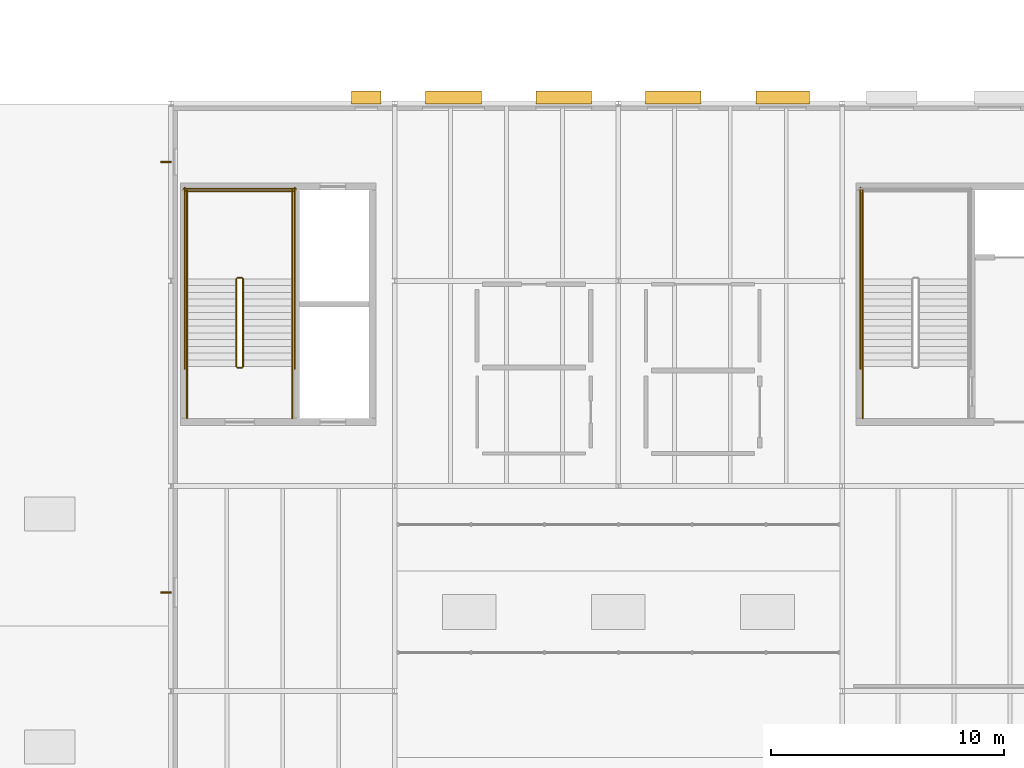
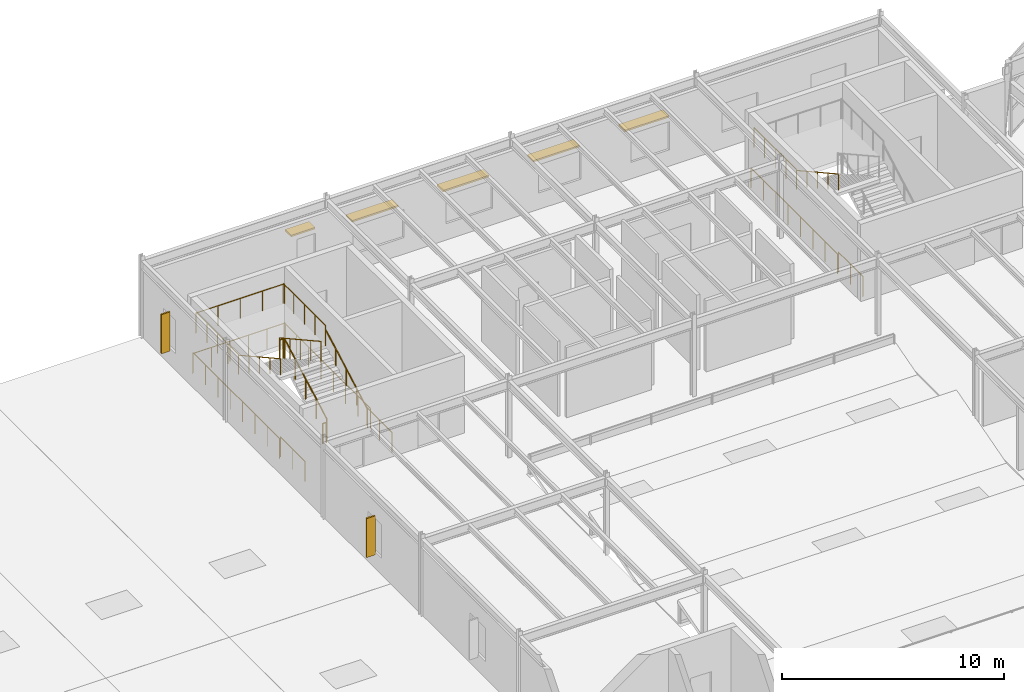
# One storey, part 46 of 50: 18 railings, 7 shading devices.
"""IFC4 building model written with IfcOpenShell, lengths in metres."""

from ifc_helpers import new_model, si_unit, direction, frame, origin, origin_2d, place, context, subcontext, project, spatial, rectangle, circle, extrude, material, layer, layer_set, type_object, element, save


model = new_model("IFC4")

# Units and contexts
model_context = context("Model", 3, precision=1e-05, world=origin(), true_north=direction((0.0, 1.0)))
body_context = subcontext(model_context, "Body", "Model", "MODEL_VIEW")
ifc_project = project(units=[si_unit("LENGTHUNIT", "METRE"), si_unit("AREAUNIT", "SQUARE_METRE"), si_unit("VOLUMEUNIT", "CUBIC_METRE"), si_unit("PLANEANGLEUNIT", "RADIAN"), si_unit("MASSUNIT", "GRAM", prefix="KILO")], contexts=[model_context])

# Site, building, storey
site_placement = place(None, origin())
site = spatial("IfcSite", under=ifc_project, at=site_placement, CompositionType="ELEMENT")
building_placement = place(site_placement, origin())
building = spatial("IfcBuilding", under=site, at=building_placement, Name="Sarnbrook Museum", CompositionType="ELEMENT")
storey_placement = place(building_placement, frame((0.0, 0.0, 28.10009765625)))
storey = spatial("IfcBuildingStorey", under=building, at=storey_placement, Name="L05", CompositionType="ELEMENT", Elevation=28.10009765625)

# Shading devices
ifc_material_1 = material(Name="Patinated Architectural Bronze")
shading_device_type_1 = type_object("IfcShadingDeviceType", Name="BriseSoleil_Horizontal", PredefinedType="SHUTTER", material=ifc_material_1)
shading_device_1_placement = place(storey_placement, frame((107.053955078125, 108.669921875, 2.46484375), z_axis=(0.0, 0.0, 1.0), x_axis=(1.0, 0.0, 0.0)))
element("IfcShadingDevice", 1, at=shading_device_1_placement, inside=storey, type_object=shading_device_type_1, Name="Horizontal Bronze Brise-Soleil BS-039", PredefinedType="SHUTTER", context=body_context, shape_type="SweptSolid", body=[
    extrude(rectangle(XDim=2.300048828125, YDim=0.550048828125, at=origin_2d()), origin(), (0.0, 0.0, 1.0), 0.090087890625),
])
for number, where, z_axis, x_axis, name in (
    (2, (102.35400390625, 108.669921875, 2.46484375), (0.0, 0.0, 1.0), (1.0, 0.0, 0.0), "Horizontal Bronze Brise-Soleil BS-040"),
    (3, (97.654052734375, 108.669921875, 2.46484375), (0.0, 0.0, 1.0), (1.0, 0.0, 0.0), "Horizontal Bronze Brise-Soleil BS-041"),
    (4, (92.928955078125, 108.669921875, 2.46484375), (0.0, 0.0, 1.0), (1.0, 0.0, 0.0), "Horizontal Bronze Brise-Soleil BS-042"),
):
    element("IfcShadingDevice", number, at=place(storey_placement, frame(where, z_axis=z_axis, x_axis=x_axis)), inside=storey, type_object=shading_device_type_1, Name=name, PredefinedType="SHUTTER", context=body_context, shape_type="SweptSolid", body=[
        extrude(rectangle(XDim=2.39990234375, YDim=0.550048828125, at=origin_2d()), origin(), (0.0, 0.0, 1.0), 0.090087890625),
    ])
shading_device_2_placement = place(storey_placement, frame((89.178955078125, 108.669921875, 2.7646484375), z_axis=(0.0, 0.0, 1.0), x_axis=(1.0, 0.0, 0.0)))
element("IfcShadingDevice", 5, at=shading_device_2_placement, inside=storey, type_object=shading_device_type_1, Name="Horizontal Bronze Brise-Soleil BS-043", PredefinedType="SHUTTER", context=body_context, shape_type="SweptSolid", body=[
    extrude(rectangle(XDim=1.25, YDim=0.550048828125, at=origin_2d()), origin(), (0.0, 0.0, 1.0), 0.090087890625),
])

# Railings
ifc_material_2 = material(Name="Brushed Stainless Steel Grade 316", Category="steel")
ifc_layer_1 = layer(ifc_material_2, 0.050048828125)
ifc_layer_set_1 = layer_set([ifc_layer_1], Name="Brushed Stainless Steel Grade 316")
railing_type_1 = type_object("IfcRailingType", Name="Guard_Int1120", PredefinedType="BALUSTRADE", material=ifc_layer_set_1)
railing_1_placement = place(storey_placement, frame((110.489990234375, 100.889892578125, 2.25)))
element("IfcRailing", 6, at=railing_1_placement, inside=storey, type_object=railing_type_1, Name="L05 ST2 stair guard 4", PredefinedType="BALUSTRADE", context=body_context, shape_type="SweptSolid", body=[
    extrude(circle(Radius=0.02392578125, at=origin_2d()), frame((0.0, 0.0, 1.09619140625), z_axis=(0.0, 1.0, 0.0), x_axis=(-1.0, 0.0, 0.0)), (0.0, 0.0, 1.0), 3.81005859375),
    extrude(circle(Radius=0.02099609375, at=origin_2d()), origin(), (0.0, 0.0, 1.0), 1.072021484375),
    extrude(circle(Radius=0.02099609375, at=origin_2d()), frame((0.0, 0.95263671875, 0.0)), (0.0, 0.0, 1.0), 1.072021484375),
    extrude(circle(Radius=0.02099609375, at=origin_2d()), frame((0.0, 1.905029296875, 0.0)), (0.0, 0.0, 1.0), 1.072021484375),
    extrude(circle(Radius=0.02099609375, at=origin_2d()), frame((0.0, 2.857421875, 0.0)), (0.0, 0.0, 1.0), 1.072021484375),
    extrude(circle(Radius=0.02099609375, at=origin_2d()), frame((0.0, 3.81005859375, 0.0)), (0.0, 0.0, 1.0), 1.072021484375),
])
railing_2_placement = place(storey_placement, frame((110.489990234375, 94.89990234375, 0.0)))
element("IfcRailing", 7, at=railing_2_placement, inside=storey, type_object=railing_type_1, Name="L05 ST2 stair guard 9", PredefinedType="BALUSTRADE", context=body_context, shape_type="SweptSolid", body=[
    extrude(circle(Radius=0.02392578125, at=origin_2d()), frame((0.0, 0.0, 1.09619140625), z_axis=(0.0, 1.0, 0.0), x_axis=(-1.0, 0.0, 0.0)), (0.0, 0.0, 1.0), 2.22021484375),
    extrude(circle(Radius=0.02099609375, at=origin_2d()), origin(), (0.0, 0.0, 1.0), 1.072021484375),
    extrude(circle(Radius=0.02099609375, at=origin_2d()), frame((0.0, 1.110107421875, 0.0)), (0.0, 0.0, 1.0), 1.072021484375),
    extrude(circle(Radius=0.02099609375, at=origin_2d()), frame((0.0, 2.22021484375, 0.0)), (0.0, 0.0, 1.0), 1.072021484375),
])
railing_3_placement = place(storey_placement, frame((110.389892578125, 97.02001953125, 0.0)))
element("IfcRailing", 8, at=railing_3_placement, inside=storey, type_object=railing_type_1, Name="L05 ST2 stair guard 11", PredefinedType="BALUSTRADE", context=body_context, shape_type="SweptSolid", body=[
    extrude(circle(Radius=0.02392578125, at=origin_2d()), frame((0.0, 0.0, 1.09619140625), z_axis=(0.0, 1.0, 0.0), x_axis=(-1.0, 0.0, 0.0)), (0.0, 0.0, 1.0), 7.780029296875),
    extrude(circle(Radius=0.02099609375, at=origin_2d()), origin(), (0.0, 0.0, 1.0), 1.072021484375),
    extrude(circle(Radius=0.02099609375, at=origin_2d()), frame((0.0, 1.111328125, 0.0)), (0.0, 0.0, 1.0), 1.072021484375),
    extrude(circle(Radius=0.02099609375, at=origin_2d()), frame((0.0, 2.222900390625, 0.0)), (0.0, 0.0, 1.0), 1.072021484375),
    extrude(circle(Radius=0.02099609375, at=origin_2d()), frame((0.0, 3.334228515625, 0.0)), (0.0, 0.0, 1.0), 1.072021484375),
    extrude(circle(Radius=0.02099609375, at=origin_2d()), frame((0.0, 4.44580078125, 0.0)), (0.0, 0.0, 1.0), 1.072021484375),
    extrude(circle(Radius=0.02099609375, at=origin_2d()), frame((0.0, 5.55712890625, 0.0)), (0.0, 0.0, 1.0), 1.072021484375),
    extrude(circle(Radius=0.02099609375, at=origin_2d()), frame((0.0, 6.668701171875, 0.0)), (0.0, 0.0, 1.0), 1.072021484375),
    extrude(circle(Radius=0.02099609375, at=origin_2d()), frame((0.0, 7.780029296875, 0.0)), (0.0, 0.0, 1.0), 1.072021484375),
])
railing_4_placement = place(storey_placement, frame((83.889892578125, 97.1201171875, 0.16064453125)))
element("IfcRailing", 9, at=railing_4_placement, inside=storey, type_object=railing_type_1, Name="L05 ST4 stair guard 1", PredefinedType="BALUSTRADE", context=body_context, shape_type="SweptSolid", body=[
    extrude(circle(Radius=0.02392578125, at=origin_2d()), frame((0.0, 0.0, 1.09619140625), z_axis=(0.0, 0.874645791573, 0.484762559697), x_axis=(-1.0, 0.0, 0.0)), (0.0, 0.0, 1.0), 4.31005859375),
    extrude(circle(Radius=0.02099609375, at=origin_2d()), origin(), (0.0, 0.0, 1.0), 1.072021484375),
    extrude(circle(Radius=0.02099609375, at=origin_2d()), frame((0.0, 0.9423828125, 0.5224609375)), (0.0, 0.0, 1.0), 1.072021484375),
    extrude(circle(Radius=0.02099609375, at=origin_2d()), frame((0.0, 1.884765625, 1.044677734375)), (0.0, 0.0, 1.0), 1.072021484375),
    extrude(circle(Radius=0.02099609375, at=origin_2d()), frame((0.0, 2.827392578125, 1.56689453125)), (0.0, 0.0, 1.0), 1.072021484375),
    extrude(circle(Radius=0.02099609375, at=origin_2d()), frame((0.0, 3.769775390625, 2.08935546875)), (0.0, 0.0, 1.0), 1.072021484375),
])
railing_5_placement = place(storey_placement, frame((83.840087890625, 100.93994140625, 2.25)))
element("IfcRailing", 10, at=railing_5_placement, inside=storey, type_object=railing_type_1, Name="L05 ST4 stair guard 2", PredefinedType="BALUSTRADE", context=body_context, shape_type="SweptSolid", body=[
    extrude(circle(Radius=0.02392578125, at=origin_2d()), frame((0.0, 0.0, 1.09619140625), z_axis=(-1.0, 0.0, 0.0), x_axis=(0.0, -1.0, 0.0)), (0.0, 0.0, 1.0), 0.18017578125),
    extrude(circle(Radius=0.02099609375, at=origin_2d()), origin(), (0.0, 0.0, 1.0), 1.072021484375),
    extrude(circle(Radius=0.02099609375, at=origin_2d()), frame((-0.18017578125, 0.0, 0.0)), (0.0, 0.0, 1.0), 1.072021484375),
])
for number, where, name in (
    (11, (86.010009765625, 100.889892578125, 2.25), "L05 ST4 stair guard 3"),
    (12, (81.489990234375, 100.889892578125, 2.25), "L05 ST4 stair guard 4"),
):
    element("IfcRailing", number, at=place(storey_placement, frame(where)), inside=storey, type_object=railing_type_1, Name=name, PredefinedType="BALUSTRADE", context=body_context, shape_type="SweptSolid", body=[
        extrude(circle(Radius=0.02392578125, at=origin_2d()), frame((0.0, 0.0, 1.09619140625), z_axis=(0.0, 1.0, 0.0), x_axis=(-1.0, 0.0, 0.0)), (0.0, 0.0, 1.0), 3.81005859375),
        extrude(circle(Radius=0.02099609375, at=origin_2d()), origin(), (0.0, 0.0, 1.0), 1.072021484375),
        extrude(circle(Radius=0.02099609375, at=origin_2d()), frame((0.0, 0.95263671875, 0.0)), (0.0, 0.0, 1.0), 1.072021484375),
        extrude(circle(Radius=0.02099609375, at=origin_2d()), frame((0.0, 1.905029296875, 0.0)), (0.0, 0.0, 1.0), 1.072021484375),
        extrude(circle(Radius=0.02099609375, at=origin_2d()), frame((0.0, 2.857421875, 0.0)), (0.0, 0.0, 1.0), 1.072021484375),
        extrude(circle(Radius=0.02099609375, at=origin_2d()), frame((0.0, 3.81005859375, 0.0)), (0.0, 0.0, 1.0), 1.072021484375),
    ])
railing_6_placement = place(storey_placement, frame((86.06005859375, 104.64990234375, 2.25)))
element("IfcRailing", 13, at=railing_6_placement, inside=storey, type_object=railing_type_1, Name="L05 ST4 stair guard 5", PredefinedType="BALUSTRADE", context=body_context, shape_type="SweptSolid", body=[
    extrude(circle(Radius=0.02392578125, at=origin_2d()), frame((0.0, 0.0, 1.09619140625), z_axis=(-1.0, 0.0, 0.0), x_axis=(0.0, -1.0, 0.0)), (0.0, 0.0, 1.0), 4.6201171875),
    extrude(circle(Radius=0.02099609375, at=origin_2d()), origin(), (0.0, 0.0, 1.0), 1.072021484375),
    extrude(circle(Radius=0.02099609375, at=origin_2d()), frame((-1.155029296875, 0.0, 0.0)), (0.0, 0.0, 1.0), 1.072021484375),
    extrude(circle(Radius=0.02099609375, at=origin_2d()), frame((-2.31005859375, 0.0, 0.0)), (0.0, 0.0, 1.0), 1.072021484375),
    extrude(circle(Radius=0.02099609375, at=origin_2d()), frame((-3.465087890625, 0.0, 0.0)), (0.0, 0.0, 1.0), 1.072021484375),
    extrude(circle(Radius=0.02099609375, at=origin_2d()), frame((-4.6201171875, 0.0, 0.0)), (0.0, 0.0, 1.0), 1.072021484375),
])
railing_7_placement = place(storey_placement, frame((83.610107421875, 100.889892578125, 2.41064453125)))
element("IfcRailing", 14, at=railing_7_placement, inside=storey, type_object=railing_type_1, Name="L05 ST4 stair guard 6", PredefinedType="BALUSTRADE", context=body_context, shape_type="SweptSolid", body=[
    extrude(circle(Radius=0.02392578125, at=origin_2d()), frame((0.0, 0.0, 1.09619140625), z_axis=(0.0, -0.874645791573, 0.484762559697), x_axis=(1.0, 0.0, 0.0)), (0.0, 0.0, 1.0), 4.31005859375),
    extrude(circle(Radius=0.02099609375, at=origin_2d()), origin(), (0.0, 0.0, 1.0), 1.072021484375),
    extrude(circle(Radius=0.02099609375, at=origin_2d()), frame((0.0, -0.9423828125, 0.5224609375)), (0.0, 0.0, 1.0), 1.072021484375),
    extrude(circle(Radius=0.02099609375, at=origin_2d()), frame((0.0, -1.884765625, 1.044677734375)), (0.0, 0.0, 1.0), 1.072021484375),
    extrude(circle(Radius=0.02099609375, at=origin_2d()), frame((0.0, -2.827392578125, 1.56689453125)), (0.0, 0.0, 1.0), 1.072021484375),
    extrude(circle(Radius=0.02099609375, at=origin_2d()), frame((0.0, -3.769775390625, 2.08935546875)), (0.0, 0.0, 1.0), 1.072021484375),
])
railing_8_placement = place(storey_placement, frame((83.840087890625, 97.070068359375, 0.0)))
element("IfcRailing", 15, at=railing_8_placement, inside=storey, type_object=railing_type_1, Name="L05 ST4 stair guard 7", PredefinedType="BALUSTRADE", context=body_context, shape_type="SweptSolid", body=[
    extrude(circle(Radius=0.02392578125, at=origin_2d()), frame((0.0, 0.0, 1.09619140625), z_axis=(-1.0, 0.0, 0.0), x_axis=(0.0, -1.0, 0.0)), (0.0, 0.0, 1.0), 0.18017578125),
    extrude(circle(Radius=0.02099609375, at=origin_2d()), origin(), (0.0, 0.0, 1.0), 1.072021484375),
    extrude(circle(Radius=0.02099609375, at=origin_2d()), frame((-0.18017578125, 0.0, 0.0)), (0.0, 0.0, 1.0), 1.072021484375),
])
for number, where, name in (
    (16, (86.010009765625, 94.89990234375, 0.0), "L05 ST4 stair guard 8"),
    (17, (81.489990234375, 94.89990234375, 0.0), "L05 ST4 stair guard 9"),
):
    element("IfcRailing", number, at=place(storey_placement, frame(where)), inside=storey, type_object=railing_type_1, Name=name, PredefinedType="BALUSTRADE", context=body_context, shape_type="SweptSolid", body=[
        extrude(circle(Radius=0.02392578125, at=origin_2d()), frame((0.0, 0.0, 1.09619140625), z_axis=(0.0, 1.0, 0.0), x_axis=(-1.0, 0.0, 0.0)), (0.0, 0.0, 1.0), 2.22021484375),
        extrude(circle(Radius=0.02099609375, at=origin_2d()), origin(), (0.0, 0.0, 1.0), 1.072021484375),
        extrude(circle(Radius=0.02099609375, at=origin_2d()), frame((0.0, 1.110107421875, 0.0)), (0.0, 0.0, 1.0), 1.072021484375),
        extrude(circle(Radius=0.02099609375, at=origin_2d()), frame((0.0, 2.22021484375, 0.0)), (0.0, 0.0, 1.0), 1.072021484375),
    ])
for number, where, name in (
    (18, (86.110107421875, 97.02001953125, 0.0), "L05 ST4 stair guard 10"),
    (19, (81.389892578125, 97.02001953125, 0.0), "L05 ST4 stair guard 11"),
):
    element("IfcRailing", number, at=place(storey_placement, frame(where)), inside=storey, type_object=railing_type_1, Name=name, PredefinedType="BALUSTRADE", context=body_context, shape_type="SweptSolid", body=[
        extrude(circle(Radius=0.02392578125, at=origin_2d()), frame((0.0, 0.0, 1.09619140625), z_axis=(0.0, 1.0, 0.0), x_axis=(-1.0, 0.0, 0.0)), (0.0, 0.0, 1.0), 7.780029296875),
        extrude(circle(Radius=0.02099609375, at=origin_2d()), origin(), (0.0, 0.0, 1.0), 1.072021484375),
        extrude(circle(Radius=0.02099609375, at=origin_2d()), frame((0.0, 1.111328125, 0.0)), (0.0, 0.0, 1.0), 1.072021484375),
        extrude(circle(Radius=0.02099609375, at=origin_2d()), frame((0.0, 2.222900390625, 0.0)), (0.0, 0.0, 1.0), 1.072021484375),
        extrude(circle(Radius=0.02099609375, at=origin_2d()), frame((0.0, 3.334228515625, 0.0)), (0.0, 0.0, 1.0), 1.072021484375),
        extrude(circle(Radius=0.02099609375, at=origin_2d()), frame((0.0, 4.44580078125, 0.0)), (0.0, 0.0, 1.0), 1.072021484375),
        extrude(circle(Radius=0.02099609375, at=origin_2d()), frame((0.0, 5.55712890625, 0.0)), (0.0, 0.0, 1.0), 1.072021484375),
        extrude(circle(Radius=0.02099609375, at=origin_2d()), frame((0.0, 6.668701171875, 0.0)), (0.0, 0.0, 1.0), 1.072021484375),
        extrude(circle(Radius=0.02099609375, at=origin_2d()), frame((0.0, 7.780029296875, 0.0)), (0.0, 0.0, 1.0), 1.072021484375),
    ])
railing_9_placement = place(storey_placement, frame((86.159912109375, 104.75, 0.0)))
element("IfcRailing", 20, at=railing_9_placement, inside=storey, type_object=railing_type_1, Name="L05 ST4 stair guard 12", PredefinedType="BALUSTRADE", context=body_context, shape_type="SweptSolid", body=[
    extrude(circle(Radius=0.02392578125, at=origin_2d()), frame((0.0, 0.0, 1.09619140625), z_axis=(-1.0, 0.0, 0.0), x_axis=(0.0, -1.0, 0.0)), (0.0, 0.0, 1.0), 4.81982421875),
    extrude(circle(Radius=0.02099609375, at=origin_2d()), origin(), (0.0, 0.0, 1.0), 1.072021484375),
    extrude(circle(Radius=0.02099609375, at=origin_2d()), frame((-0.9638671875, 0.0, 0.0)), (0.0, 0.0, 1.0), 1.072021484375),
    extrude(circle(Radius=0.02099609375, at=origin_2d()), frame((-1.927978515625, 0.0, 0.0)), (0.0, 0.0, 1.0), 1.072021484375),
    extrude(circle(Radius=0.02099609375, at=origin_2d()), frame((-2.891845703125, 0.0, 0.0)), (0.0, 0.0, 1.0), 1.072021484375),
    extrude(circle(Radius=0.02099609375, at=origin_2d()), frame((-3.85595703125, 0.0, 0.0)), (0.0, 0.0, 1.0), 1.072021484375),
    extrude(circle(Radius=0.02099609375, at=origin_2d()), frame((-4.81982421875, 0.0, 0.0)), (0.0, 0.0, 1.0), 1.072021484375),
])
ifc_layer_2 = layer(ifc_material_2, 0.048095703125)
ifc_layer_set_2 = layer_set([ifc_layer_2], Name="Brushed Stainless Steel Grade 316")
railing_type_2 = type_object("IfcRailingType", Name="Handrail_920", PredefinedType="HANDRAIL", material=ifc_layer_set_2)
railing_10_placement = place(storey_placement, frame((110.489990234375, 100.889892578125, 2.41064453125)))
element("IfcRailing", 21, at=railing_10_placement, inside=storey, type_object=railing_type_2, Name="L05 ST2 stair handrail 2", PredefinedType="HANDRAIL", context=body_context, shape_type="SweptSolid", body=[
    extrude(circle(Radius=0.02392578125, at=origin_2d()), frame((0.0, 0.0, 0.8857421875), z_axis=(0.0, -0.874645791573, 0.484762559697), x_axis=(1.0, 0.0, 0.0)), (0.0, 0.0, 1.0), 4.31005859375),
    extrude(circle(Radius=0.02099609375, at=origin_2d()), origin(), (0.0, 0.0, 1.0), 0.86181640625),
    extrude(circle(Radius=0.02099609375, at=origin_2d()), frame((0.0, -0.9423828125, 0.5224609375)), (0.0, 0.0, 1.0), 0.86181640625),
    extrude(circle(Radius=0.02099609375, at=origin_2d()), frame((0.0, -1.884765625, 1.044677734375)), (0.0, 0.0, 1.0), 0.86181640625),
    extrude(circle(Radius=0.02099609375, at=origin_2d()), frame((0.0, -2.827392578125, 1.56689453125)), (0.0, 0.0, 1.0), 0.86181640625),
    extrude(circle(Radius=0.02099609375, at=origin_2d()), frame((0.0, -3.769775390625, 2.08935546875)), (0.0, 0.0, 1.0), 0.86181640625),
])
railing_11_placement = place(storey_placement, frame((86.010009765625, 97.1201171875, 0.16064453125)))
element("IfcRailing", 22, at=railing_11_placement, inside=storey, type_object=railing_type_2, Name="L05 ST4 stair handrail 1", PredefinedType="HANDRAIL", context=body_context, shape_type="SweptSolid", body=[
    extrude(circle(Radius=0.02392578125, at=origin_2d()), frame((0.0, 0.0, 0.8857421875), z_axis=(0.0, 0.874645791573, 0.484762559697), x_axis=(-1.0, 0.0, 0.0)), (0.0, 0.0, 1.0), 4.31005859375),
    extrude(circle(Radius=0.02099609375, at=origin_2d()), origin(), (0.0, 0.0, 1.0), 0.86181640625),
    extrude(circle(Radius=0.02099609375, at=origin_2d()), frame((0.0, 0.9423828125, 0.5224609375)), (0.0, 0.0, 1.0), 0.86181640625),
    extrude(circle(Radius=0.02099609375, at=origin_2d()), frame((0.0, 1.884765625, 1.044677734375)), (0.0, 0.0, 1.0), 0.86181640625),
    extrude(circle(Radius=0.02099609375, at=origin_2d()), frame((0.0, 2.827392578125, 1.56689453125)), (0.0, 0.0, 1.0), 0.86181640625),
    extrude(circle(Radius=0.02099609375, at=origin_2d()), frame((0.0, 3.769775390625, 2.08935546875)), (0.0, 0.0, 1.0), 0.86181640625),
])
railing_12_placement = place(storey_placement, frame((81.489990234375, 100.889892578125, 2.41064453125)))
element("IfcRailing", 23, at=railing_12_placement, inside=storey, type_object=railing_type_2, Name="L05 ST4 stair handrail 2", PredefinedType="HANDRAIL", context=body_context, shape_type="SweptSolid", body=[
    extrude(circle(Radius=0.02392578125, at=origin_2d()), frame((0.0, 0.0, 0.8857421875), z_axis=(0.0, -0.874645791573, 0.484762559697), x_axis=(1.0, 0.0, 0.0)), (0.0, 0.0, 1.0), 4.31005859375),
    extrude(circle(Radius=0.02099609375, at=origin_2d()), origin(), (0.0, 0.0, 1.0), 0.86181640625),
    extrude(circle(Radius=0.02099609375, at=origin_2d()), frame((0.0, -0.9423828125, 0.5224609375)), (0.0, 0.0, 1.0), 0.86181640625),
    extrude(circle(Radius=0.02099609375, at=origin_2d()), frame((0.0, -1.884765625, 1.044677734375)), (0.0, 0.0, 1.0), 0.86181640625),
    extrude(circle(Radius=0.02099609375, at=origin_2d()), frame((0.0, -2.827392578125, 1.56689453125)), (0.0, 0.0, 1.0), 0.86181640625),
    extrude(circle(Radius=0.02099609375, at=origin_2d()), frame((0.0, -3.769775390625, 2.08935546875)), (0.0, 0.0, 1.0), 0.86181640625),
])

# Shading devices
shading_device_type_2 = type_object("IfcShadingDeviceType", Name="SunFin_VerticalBronze", PredefinedType="USERDEFINED", material=ifc_material_1)
for number, where, z_axis, x_axis, name in (
    (24, (80.580078125, 105.904052734375, 0.75), (0.0, 0.0, 1.0), (1.0, 0.0, 0.0), "Vertical Bronze Sun-Shading Fin SF-018"),
    (25, (80.580078125, 87.428955078125, 0.75), (0.0, 0.0, 1.0), (1.0, 0.0, 0.0), "Vertical Bronze Sun-Shading Fin SF-019"),
):
    element("IfcShadingDevice", number, at=place(storey_placement, frame(where, z_axis=z_axis, x_axis=x_axis)), inside=storey, type_object=shading_device_type_2, Name=name, ObjectType="FIN", PredefinedType="USERDEFINED", context=body_context, shape_type="SweptSolid", body=[
        extrude(rectangle(XDim=0.449951171875, YDim=0.080078125, at=origin_2d()), origin(), (0.0, 0.0, 1.0), 2.14990234375),
    ])

save(model, "model.ifc")
